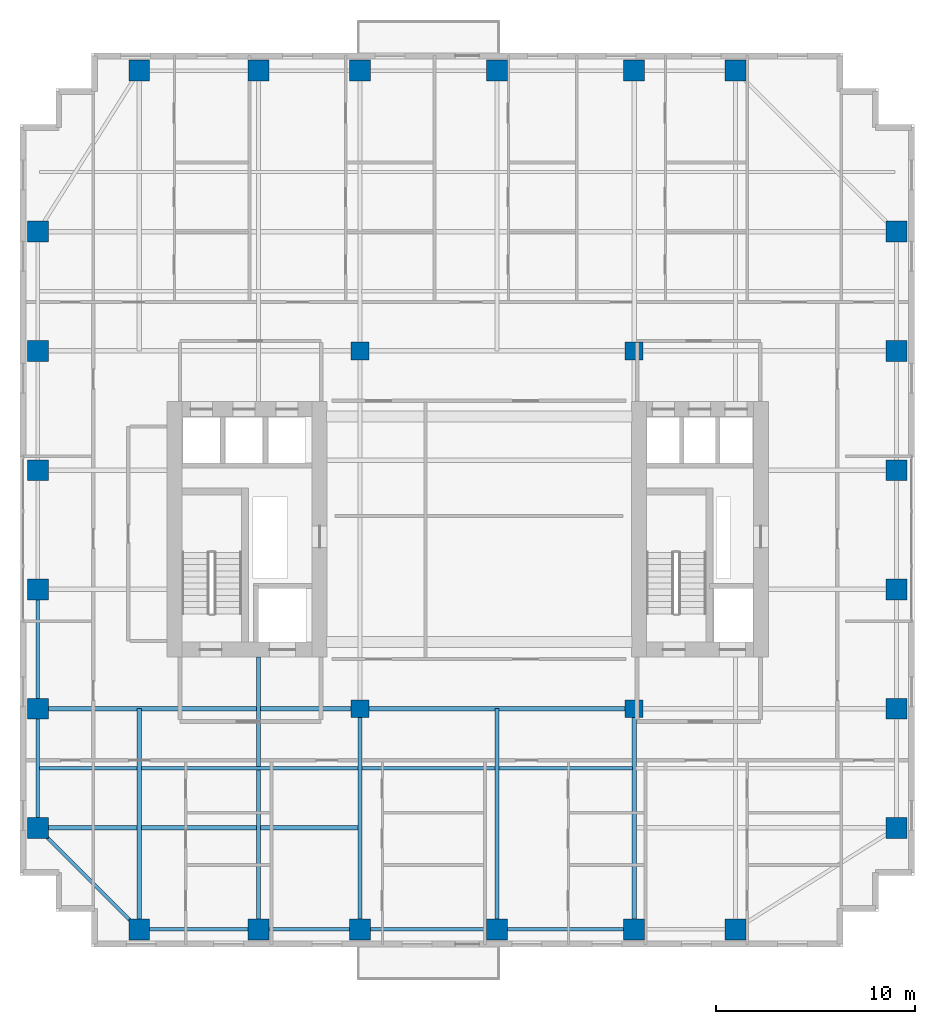
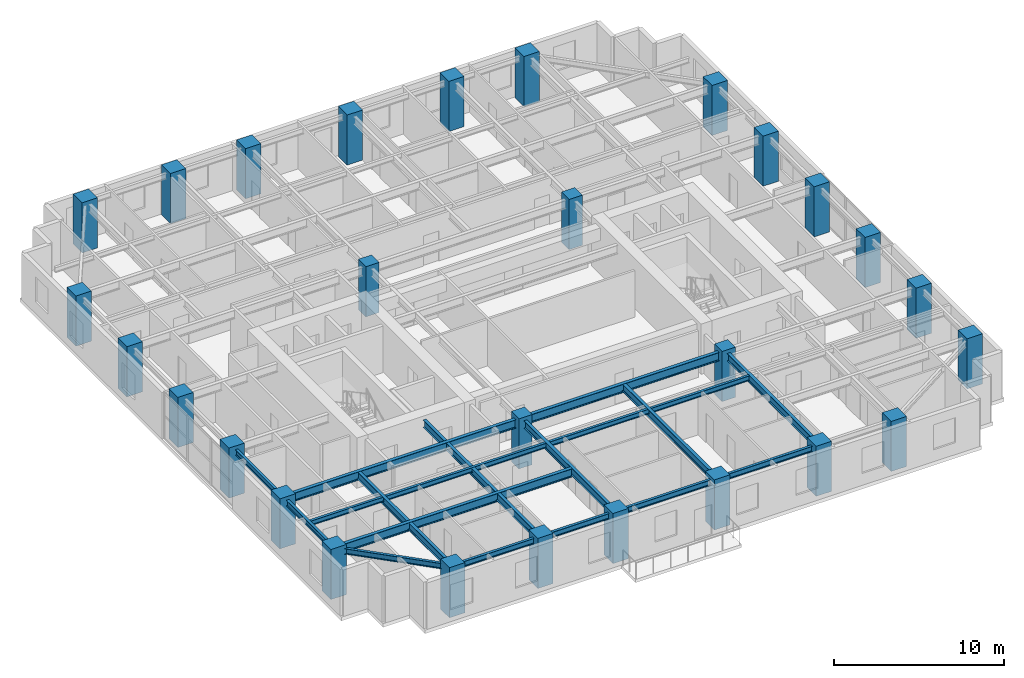
# One storey, part 1 of 15: 28 columns, 17 beams.
"""IFC4 building model written with IfcOpenShell, lengths in metres."""

from ifc_helpers import new_model, si_unit, direction, frame, origin, origin_2d, place, context, subcontext, project, spatial, rectangle, i_section, extrude, source, transform, mapped, material, material_profile, profile_set, type_object, element, save


model = new_model("IFC4")

# Units and contexts
model_context = context("Model", 3, precision=1e-05, world=origin(), true_north=direction((0.0, 1.0)))
body_context = subcontext(model_context, "Body", "Model", "MODEL_VIEW")
ifc_project = project(units=[si_unit("LENGTHUNIT", "METRE"), si_unit("AREAUNIT", "SQUARE_METRE"), si_unit("VOLUMEUNIT", "CUBIC_METRE"), si_unit("PLANEANGLEUNIT", "RADIAN"), si_unit("MASSUNIT", "GRAM", prefix="KILO")], contexts=[model_context])

# Site, building, storey
site_placement = place(None, origin())
site = spatial("IfcSite", under=ifc_project, at=site_placement, CompositionType="ELEMENT")
building_placement = place(site_placement, origin())
building = spatial("IfcBuilding", under=site, at=building_placement, Name="Khoralis Quay Care Tower", CompositionType="ELEMENT")
storey_placement = place(building_placement, frame((0.0, 0.0, 123.300048828125)))
storey = spatial("IfcBuildingStorey", under=building, at=storey_placement, Name="L32", CompositionType="ELEMENT", Elevation=123.300048828125)

# Columns
ifc_material_1 = material(Name="Concrete C65/80", Category="concrete")
ifc_material_profile_1 = material_profile(ifc_material_1, rectangle(XDim=1.050048828125, YDim=1.050048828125, at=origin_2d()), Name="Concrete C65/80")
ifc_profile_set_1 = profile_set([ifc_material_profile_1], Name="Concrete C65/80")
column_type_1 = type_object("IfcColumnType", Name="COL-C1050", PredefinedType="COLUMN", material=ifc_profile_set_1)
shared_shape_1 = source(origin(), body_context, "Body", "SweptSolid", [
    extrude(rectangle(XDim=1.050048828125, YDim=1.050048828125, at=origin_2d()), origin(), (0.0, 0.0, 1.0), 3.599853515625),
])
for number, where, z_axis, x_axis, name in (
    (1, (6.0, 0.89990234375, 0.0), (0.0, 0.0, 1.0), (1.0, 0.0, 0.0), "COL-TWR-L32-01"),
    (2, (6.0, 44.10009765625, 0.0), (0.0, 0.0, 1.0), (1.0, 0.0, 0.0), "COL-TWR-L32-02"),
    (3, (12.0, 0.89990234375, 0.0), (0.0, 0.0, 1.0), (1.0, 0.0, 0.0), "COL-TWR-L32-03"),
    (4, (12.0, 44.10009765625, 0.0), (0.0, 0.0, 1.0), (1.0, 0.0, 0.0), "COL-TWR-L32-04"),
    (5, (17.10009765625, 0.89990234375, 0.0), (0.0, 0.0, 1.0), (1.0, 0.0, 0.0), "COL-TWR-L32-05"),
    (6, (17.10009765625, 44.10009765625, 0.0), (0.0, 0.0, 1.0), (1.0, 0.0, 0.0), "COL-TWR-L32-06"),
    (7, (24.0, 0.89990234375, 0.0), (0.0, 0.0, 1.0), (1.0, 0.0, 0.0), "COL-TWR-L32-07"),
    (8, (24.0, 44.10009765625, 0.0), (0.0, 0.0, 1.0), (1.0, 0.0, 0.0), "COL-TWR-L32-08"),
    (9, (30.89990234375, 0.89990234375, 0.0), (0.0, 0.0, 1.0), (1.0, 0.0, 0.0), "COL-TWR-L32-09"),
    (10, (30.89990234375, 44.10009765625, 0.0), (0.0, 0.0, 1.0), (1.0, 0.0, 0.0), "COL-TWR-L32-10"),
    (11, (36.0, 0.89990234375, 0.0), (0.0, 0.0, 1.0), (1.0, 0.0, 0.0), "COL-TWR-L32-11"),
    (12, (36.0, 44.10009765625, 0.0), (0.0, 0.0, 1.0), (1.0, 0.0, 0.0), "COL-TWR-L32-12"),
    (13, (0.89990234375, 6.0, 0.0), (0.0, 0.0, 1.0), (1.0, 0.0, 0.0), "COL-TWR-L32-13"),
    (14, (44.10009765625, 6.0, 0.0), (0.0, 0.0, 1.0), (1.0, 0.0, 0.0), "COL-TWR-L32-14"),
    (15, (0.89990234375, 12.0, 0.0), (0.0, 0.0, 1.0), (1.0, 0.0, 0.0), "COL-TWR-L32-15"),
    (16, (44.10009765625, 12.0, 0.0), (0.0, 0.0, 1.0), (1.0, 0.0, 0.0), "COL-TWR-L32-16"),
    (17, (0.89990234375, 18.0, 0.0), (0.0, 0.0, 1.0), (1.0, 0.0, 0.0), "COL-TWR-L32-17"),
    (18, (44.10009765625, 18.0, 0.0), (0.0, 0.0, 1.0), (1.0, 0.0, 0.0), "COL-TWR-L32-18"),
    (19, (0.89990234375, 24.0, 0.0), (0.0, 0.0, 1.0), (1.0, 0.0, 0.0), "COL-TWR-L32-19"),
    (20, (44.10009765625, 24.0, 0.0), (0.0, 0.0, 1.0), (1.0, 0.0, 0.0), "COL-TWR-L32-20"),
    (21, (0.89990234375, 30.0, 0.0), (0.0, 0.0, 1.0), (1.0, 0.0, 0.0), "COL-TWR-L32-21"),
    (22, (44.10009765625, 30.0, 0.0), (0.0, 0.0, 1.0), (1.0, 0.0, 0.0), "COL-TWR-L32-22"),
    (23, (0.89990234375, 36.0, 0.0), (0.0, 0.0, 1.0), (1.0, 0.0, 0.0), "COL-TWR-L32-23"),
    (24, (44.10009765625, 36.0, 0.0), (0.0, 0.0, 1.0), (1.0, 0.0, 0.0), "COL-TWR-L32-24"),
):
    element("IfcColumn", number, at=place(storey_placement, frame(where, z_axis=z_axis, x_axis=x_axis)), inside=storey, type_object=column_type_1, Name=name, PredefinedType="COLUMN", context=body_context, shape_type="MappedRepresentation", body=[
        mapped(shared_shape_1, transform((0.0, 0.0, 0.0), scale=1.0)),
    ])
ifc_material_profile_2 = material_profile(ifc_material_1, rectangle(XDim=0.89990234375, YDim=0.89990234375, at=origin_2d()), Name="Concrete C65/80")
ifc_profile_set_2 = profile_set([ifc_material_profile_2], Name="Concrete C65/80")
column_type_2 = type_object("IfcColumnType", Name="COL-C900", PredefinedType="COLUMN", material=ifc_profile_set_2)
shared_shape_2 = source(origin(), body_context, "Body", "SweptSolid", [
    extrude(rectangle(XDim=0.89990234375, YDim=0.89990234375, at=origin_2d()), origin(), (0.0, 0.0, 1.0), 3.599853515625),
])
for number, where, z_axis, x_axis, name in (
    (25, (17.10009765625, 12.0, 0.0), (0.0, 0.0, 1.0), (1.0, 0.0, 0.0), "COL-TWR-L32-25"),
    (26, (17.10009765625, 30.0, 0.0), (0.0, 0.0, 1.0), (1.0, 0.0, 0.0), "COL-TWR-L32-26"),
    (27, (30.89990234375, 12.0, 0.0), (0.0, 0.0, 1.0), (1.0, 0.0, 0.0), "COL-TWR-L32-27"),
    (28, (30.89990234375, 30.0, 0.0), (0.0, 0.0, 1.0), (1.0, 0.0, 0.0), "COL-TWR-L32-28"),
):
    element("IfcColumn", number, at=place(storey_placement, frame(where, z_axis=z_axis, x_axis=x_axis)), inside=storey, type_object=column_type_2, Name=name, PredefinedType="COLUMN", context=body_context, shape_type="MappedRepresentation", body=[
        mapped(shared_shape_2, transform((0.0, 0.0, 0.0), scale=1.0)),
    ])

# Beams
ifc_material_2 = material(Name="Steel S355", Category="steel")
ifc_material_profile_3 = material_profile(ifc_material_2, i_section(OverallWidth=0.179931640625, OverallDepth=0.39990234375, WebThickness=0.008544921875, FlangeThickness=0.013427734375, FilletRadius=0.02099609375, at=origin_2d()), Name="Steel S355")
ifc_profile_set_3 = profile_set([ifc_material_profile_3], Name="Steel S355")
beam_type_1 = type_object("IfcBeamType", Name="BM-IPE400", PredefinedType="SPANDREL", material=ifc_profile_set_3)
shared_shape_3 = source(origin(), body_context, "Body", "SweptSolid", [
    extrude(i_section(OverallWidth=0.179931640625, OverallDepth=0.39990234375, WebThickness=0.008544921875, FlangeThickness=0.013427734375, FilletRadius=0.02099609375, at=origin_2d()), origin(), (0.0, 0.0, 1.0), 6.0),
])
for number, where, z_axis, x_axis, name in (
    (29, (6.0, 0.89990234375, 3.139892578125), (1.0, 0.0, 0.0), (0.0, 1.0, 0.0), "BM-TSP-L32-01"),
    (30, (0.89990234375, 6.0, 3.139892578125), (0.0, 1.0, 0.0), (-1.0, 0.0, 0.0), "BM-TSP-L32-11"),
    (31, (0.89990234375, 12.0, 3.139892578125), (0.0, 1.0, 0.0), (-1.0, 0.0, 0.0), "BM-TSP-L32-12"),
):
    element("IfcBeam", number, at=place(storey_placement, frame(where, z_axis=z_axis, x_axis=x_axis)), inside=storey, type_object=beam_type_1, Name=name, PredefinedType="SPANDREL", context=body_context, shape_type="MappedRepresentation", body=[
        mapped(shared_shape_3, transform((0.0, 0.0, 0.0), scale=1.0)),
    ])
shared_shape_4 = source(origin(), body_context, "Body", "SweptSolid", [
    extrude(i_section(OverallWidth=0.179931640625, OverallDepth=0.39990234375, WebThickness=0.008544921875, FlangeThickness=0.013427734375, FilletRadius=0.02099609375, at=origin_2d()), origin(), (0.0, 0.0, 1.0), 5.10009765625),
])
beam_1_placement = place(storey_placement, frame((12.0, 0.89990234375, 3.139892578125), z_axis=(1.0, 0.0, 0.0), x_axis=(0.0, 1.0, 0.0)))
element("IfcBeam", 32, at=beam_1_placement, inside=storey, type_object=beam_type_1, Name="BM-TSP-L32-02", PredefinedType="SPANDREL", context=body_context, shape_type="MappedRepresentation", body=[
    mapped(shared_shape_4, transform((0.0, 0.0, 0.0), scale=1.0)),
])
shared_shape_5 = source(origin(), body_context, "Body", "SweptSolid", [
    extrude(i_section(OverallWidth=0.179931640625, OverallDepth=0.39990234375, WebThickness=0.008544921875, FlangeThickness=0.013427734375, FilletRadius=0.02099609375, at=origin_2d()), origin(), (0.0, 0.0, 1.0), 6.89990234375),
])
for number, where, z_axis, x_axis, name in (
    (33, (17.10009765625, 0.89990234375, 3.139892578125), (1.0, 0.0, 0.0), (0.0, 1.0, 0.0), "BM-TSP-L32-03"),
    (34, (24.0, 0.89990234375, 3.139892578125), (1.0, 0.0, 0.0), (0.0, 1.0, 0.0), "BM-TSP-L32-04"),
):
    element("IfcBeam", number, at=place(storey_placement, frame(where, z_axis=z_axis, x_axis=x_axis)), inside=storey, type_object=beam_type_1, Name=name, PredefinedType="SPANDREL", context=body_context, shape_type="MappedRepresentation", body=[
        mapped(shared_shape_5, transform((0.0, 0.0, 0.0), scale=1.0)),
    ])
shared_shape_6 = source(origin(), body_context, "Body", "SweptSolid", [
    extrude(i_section(OverallWidth=0.179931640625, OverallDepth=0.39990234375, WebThickness=0.008544921875, FlangeThickness=0.013427734375, FilletRadius=0.02099609375, at=origin_2d()), origin(), (0.0, 0.0, 1.0), 7.212646484375),
])
beam_2_placement = place(storey_placement, frame((6.0, 0.89990234375, 3.139892578125), z_axis=(-0.707106781187, 0.707106781187, 0.0), x_axis=(-0.707106781187, -0.707106781187, 0.0)))
element("IfcBeam", 35, at=beam_2_placement, inside=storey, type_object=beam_type_1, Name="BM-TCR-L32-21", PredefinedType="SPANDREL", context=body_context, shape_type="MappedRepresentation", body=[
    mapped(shared_shape_6, transform((0.0, 0.0, 0.0), scale=1.0)),
])
ifc_material_profile_4 = material_profile(ifc_material_2, i_section(OverallWidth=0.22998046875, OverallDepth=0.616943359375, WebThickness=0.01318359375, FlangeThickness=0.022216796875, FilletRadius=0.01806640625, at=origin_2d()), Name="Steel S355")
ifc_profile_set_4 = profile_set([ifc_material_profile_4], Name="Steel S355")
beam_type_2 = type_object("IfcBeamType", Name="BM-W610X140", PredefinedType="BEAM", material=ifc_profile_set_4)
shared_shape_7 = source(origin(), body_context, "Body", "SweptSolid", [
    extrude(i_section(OverallWidth=0.22998046875, OverallDepth=0.616943359375, WebThickness=0.01318359375, FlangeThickness=0.022216796875, FilletRadius=0.01806640625, at=origin_2d()), origin(), (0.0, 0.0, 1.0), 16.106201171875),
])
beam_3_placement = place(storey_placement, frame((0.89990234375, 6.0, 3.031494140625), z_axis=(1.0, 0.0, 0.0), x_axis=(0.0, 1.0, 0.0)))
element("IfcBeam", 36, at=beam_3_placement, inside=storey, type_object=beam_type_2, Name="BM-TGXW-L32-60", PredefinedType="BEAM", context=body_context, shape_type="MappedRepresentation", body=[
    mapped(shared_shape_7, transform((0.0, 0.0, 0.0), scale=1.0)),
])
shared_shape_8 = source(origin(), body_context, "Body", "SweptSolid", [
    extrude(i_section(OverallWidth=0.22998046875, OverallDepth=0.616943359375, WebThickness=0.01318359375, FlangeThickness=0.022216796875, FilletRadius=0.01806640625, at=origin_2d()), origin(), (0.0, 0.0, 1.0), 16.2001953125),
])
beam_4_placement = place(storey_placement, frame((0.89990234375, 12.0, 3.031494140625), z_axis=(1.0, 0.0, 0.0), x_axis=(0.0, 1.0, 0.0)))
element("IfcBeam", 37, at=beam_4_placement, inside=storey, type_object=beam_type_2, Name="BM-TGXW-L32-120", PredefinedType="BEAM", context=body_context, shape_type="MappedRepresentation", body=[
    mapped(shared_shape_8, transform((0.0, 0.0, 0.0), scale=1.0)),
])
shared_shape_9 = source(origin(), body_context, "Body", "SweptSolid", [
    extrude(i_section(OverallWidth=0.22998046875, OverallDepth=0.616943359375, WebThickness=0.01318359375, FlangeThickness=0.022216796875, FilletRadius=0.01806640625, at=origin_2d()), origin(), (0.0, 0.0, 1.0), 13.7998046875),
])
beam_5_placement = place(storey_placement, frame((17.10009765625, 12.0, 3.031494140625), z_axis=(1.0, 0.0, 0.0), x_axis=(0.0, 1.0, 0.0)))
element("IfcBeam", 38, at=beam_5_placement, inside=storey, type_object=beam_type_2, Name="BM-TGCC-L32-120", PredefinedType="BEAM", context=body_context, shape_type="MappedRepresentation", body=[
    mapped(shared_shape_9, transform((0.0, 0.0, 0.0), scale=1.0)),
])
ifc_material_profile_5 = material_profile(ifc_material_2, i_section(OverallWidth=0.2119140625, OverallDepth=0.5439453125, WebThickness=0.01318359375, FlangeThickness=0.021240234375, FilletRadius=0.01611328125, at=origin_2d()), Name="Steel S355")
ifc_profile_set_5 = profile_set([ifc_material_profile_5], Name="Steel S355")
beam_type_3 = type_object("IfcBeamType", Name="BM-W530X123", PredefinedType="BEAM", material=ifc_profile_set_5)
shared_shape_10 = source(origin(), body_context, "Body", "SweptSolid", [
    extrude(i_section(OverallWidth=0.2119140625, OverallDepth=0.5439453125, WebThickness=0.01318359375, FlangeThickness=0.021240234375, FilletRadius=0.01611328125, at=origin_2d()), origin(), (0.0, 0.0, 1.0), 11.10009765625),
])
for number, where, z_axis, x_axis, name in (
    (39, (6.0, 0.89990234375, 3.06787109375), (0.0, 1.0, 0.0), (-1.0, 0.0, 0.0), "BM-TGYS-L32-60"),
    (40, (17.10009765625, 0.89990234375, 3.06787109375), (0.0, 1.0, 0.0), (-1.0, 0.0, 0.0), "BM-TGYS-L32-171"),
    (41, (24.0, 0.89990234375, 3.06787109375), (0.0, 1.0, 0.0), (-1.0, 0.0, 0.0), "BM-TGYS-L32-240"),
    (42, (30.89990234375, 0.89990234375, 3.06787109375), (0.0, 1.0, 0.0), (-1.0, 0.0, 0.0), "BM-TGYS-L32-309"),
):
    element("IfcBeam", number, at=place(storey_placement, frame(where, z_axis=z_axis, x_axis=x_axis)), inside=storey, type_object=beam_type_3, Name=name, PredefinedType="BEAM", context=body_context, shape_type="MappedRepresentation", body=[
        mapped(shared_shape_10, transform((0.0, 0.0, 0.0), scale=1.0)),
    ])
shared_shape_11 = source(origin(), body_context, "Body", "SweptSolid", [
    extrude(i_section(OverallWidth=0.2119140625, OverallDepth=0.5439453125, WebThickness=0.01318359375, FlangeThickness=0.021240234375, FilletRadius=0.01611328125, at=origin_2d()), origin(), (0.0, 0.0, 1.0), 13.7021484375),
])
beam_6_placement = place(storey_placement, frame((12.0, 0.89990234375, 3.06787109375), z_axis=(0.0, 1.0, 0.0), x_axis=(-1.0, 0.0, 0.0)))
element("IfcBeam", 43, at=beam_6_placement, inside=storey, type_object=beam_type_3, Name="BM-TGYS-L32-120", PredefinedType="BEAM", context=body_context, shape_type="MappedRepresentation", body=[
    mapped(shared_shape_11, transform((0.0, 0.0, 0.0), scale=1.0)),
])
ifc_material_profile_6 = material_profile(ifc_material_2, i_section(OverallWidth=0.1708984375, OverallDepth=0.35498046875, WebThickness=0.007080078125, FlangeThickness=0.01171875, FilletRadius=0.012939453125, at=origin_2d()), Name="Steel S355")
ifc_profile_set_6 = profile_set([ifc_material_profile_6], Name="Steel S355")
beam_type_4 = type_object("IfcBeamType", Name="BM-W360X51", PredefinedType="JOIST", material=ifc_profile_set_6)
shared_shape_12 = source(origin(), body_context, "Body", "SweptSolid", [
    extrude(i_section(OverallWidth=0.1708984375, OverallDepth=0.35498046875, WebThickness=0.007080078125, FlangeThickness=0.01171875, FilletRadius=0.012939453125, at=origin_2d()), origin(), (0.0, 0.0, 1.0), 16.030029296875),
])
beam_7_placement = place(storey_placement, frame((0.97607421875, 9.0, 3.162353515625), z_axis=(1.0, 0.0, 0.0), x_axis=(0.0, 1.0, 0.0)))
element("IfcBeam", 44, at=beam_7_placement, inside=storey, type_object=beam_type_4, Name="BM-TJS-L32-25", PredefinedType="JOIST", context=body_context, shape_type="MappedRepresentation", body=[
    mapped(shared_shape_12, transform((0.0, 0.0, 0.0), scale=1.0)),
])
shared_shape_13 = source(origin(), body_context, "Body", "SweptSolid", [
    extrude(i_section(OverallWidth=0.1708984375, OverallDepth=0.35498046875, WebThickness=0.007080078125, FlangeThickness=0.01171875, FilletRadius=0.012939453125, at=origin_2d()), origin(), (0.0, 0.0, 1.0), 13.61181640625),
])
beam_8_placement = place(storey_placement, frame((17.194091796875, 9.0, 3.162353515625), z_axis=(1.0, 0.0, 0.0), x_axis=(0.0, 1.0, 0.0)))
element("IfcBeam", 45, at=beam_8_placement, inside=storey, type_object=beam_type_4, Name="BM-TJS-L32-27", PredefinedType="JOIST", context=body_context, shape_type="MappedRepresentation", body=[
    mapped(shared_shape_13, transform((0.0, 0.0, 0.0), scale=1.0)),
])

save(model, "model.ifc")
